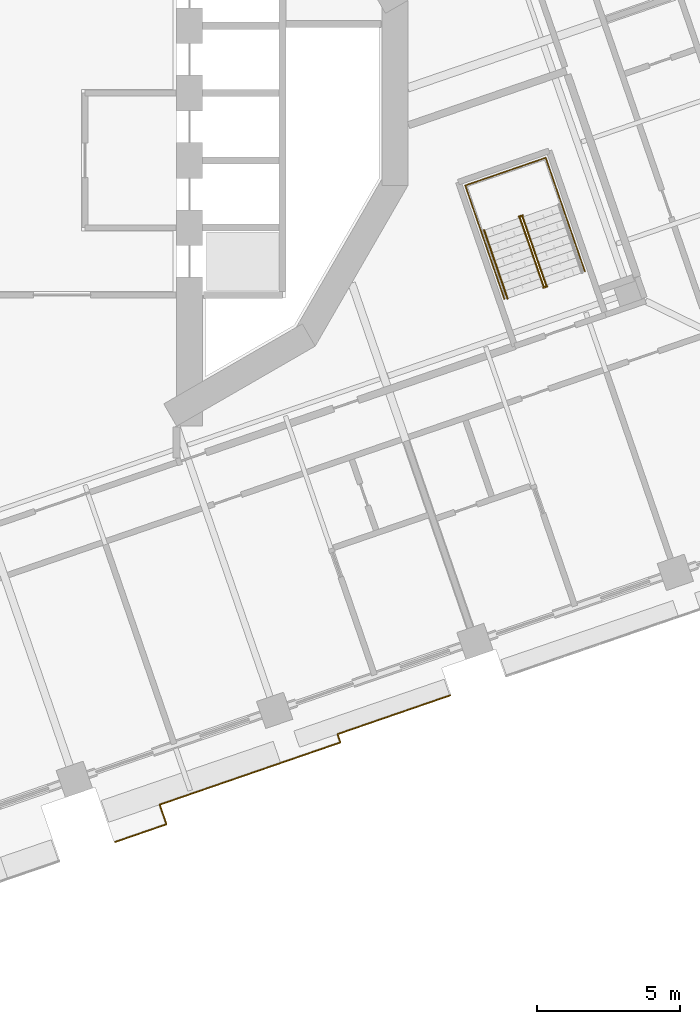
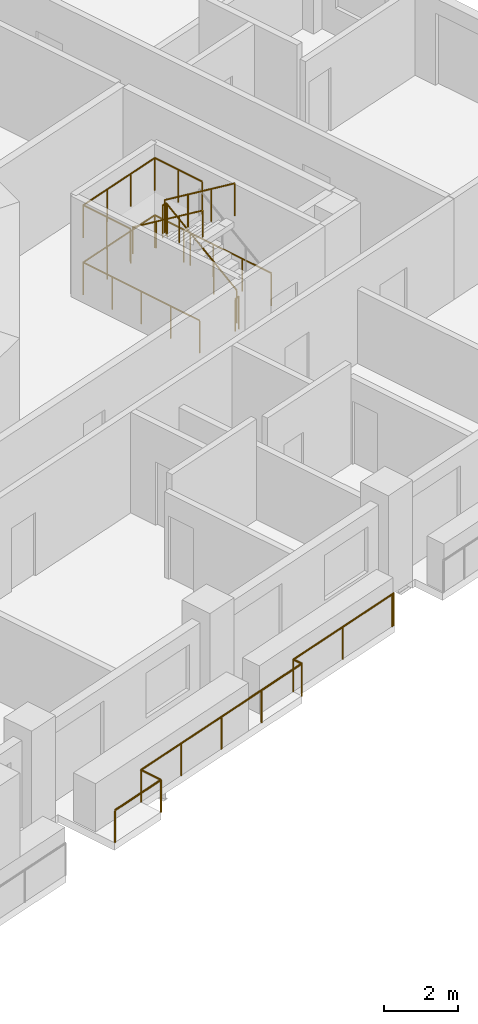
# One storey, part 17 of 22: 7 railings.
"""IFC4 building model written with IfcOpenShell, lengths in metres."""

from ifc_helpers import new_model, si_unit, direction, frame, origin, origin_2d, place, context, subcontext, project, spatial, circle, extrude, material, type_object, element, save


model = new_model("IFC4")

# Units and contexts
model_context = context("Model", 3, precision=1e-05, world=origin(), true_north=direction((0.0, 1.0)))
body_context = subcontext(model_context, "Body", "Model", "MODEL_VIEW")
ifc_project = project(units=[si_unit("LENGTHUNIT", "METRE"), si_unit("AREAUNIT", "SQUARE_METRE"), si_unit("VOLUMEUNIT", "CUBIC_METRE"), si_unit("PLANEANGLEUNIT", "RADIAN"), si_unit("MASSUNIT", "GRAM", prefix="KILO")], contexts=[model_context])

# Site, building, storey
site_placement = place(None, origin())
site = spatial("IfcSite", under=ifc_project, at=site_placement, CompositionType="ELEMENT")
building_placement = place(site_placement, origin())
building = spatial("IfcBuilding", under=site, at=building_placement, Name="Cantera Rosa Tower", CompositionType="ELEMENT")
storey_placement = place(building_placement, frame((0.0, 0.0, 138.300048828125)))
storey = spatial("IfcBuildingStorey", under=building, at=storey_placement, Name="L29", CompositionType="ELEMENT", Elevation=138.300048828125)

# Railings
ifc_material_1 = material(Name="Stainless steel and laminated glass", Category="steel")
railing_type_1 = type_object("IfcRailingType", Name="GUARD 1100", PredefinedType="BALUSTRADE", material=ifc_material_1)
railing_1_placement = place(storey_placement, frame((13.55615234375, -21.032470703125, 0.0)))
element("IfcRailing", 1, at=railing_1_placement, inside=storey, type_object=railing_type_1, Name="GUARD L29-3", PredefinedType="BALUSTRADE", context=body_context, shape_type="SweptSolid", body=[
    extrude(circle(Radius=0.030029296875, at=origin_2d()), frame((0.0, 0.0, 1.070068359375), z_axis=(-0.946220044844, -0.323523765333, 0.0), x_axis=(0.323523765333, -0.946220044844, 0.0)), (0.0, 0.0, 1.0), 0.070068359375),
    extrude(circle(Radius=0.030029296875, at=origin_2d()), frame((-0.06640625, -0.022705078125, 1.070068359375), z_axis=(-0.945499055222, -0.325624840228, 0.0), x_axis=(0.325624840228, -0.945499055222, 0.0)), (0.0, 0.0, 1.0), 4.093017578125),
    extrude(circle(Radius=0.030029296875, at=origin_2d()), frame((-3.936279296875, -1.35546875, 1.070068359375), z_axis=(0.325524604467, -0.945533569942, 0.0), x_axis=(0.945533569942, 0.325524604467, 0.0)), (0.0, 0.0, 1.0), 0.306640625),
    extrude(circle(Radius=0.030029296875, at=origin_2d()), frame((-3.83642578125, -1.6455078125, 1.070068359375), z_axis=(-0.94552097525, -0.325561185281, 0.0), x_axis=(0.325561185281, -0.94552097525, 0.0)), (0.0, 0.0, 1.0), 6.6748046875),
    extrude(circle(Radius=0.030029296875, at=origin_2d()), frame((-10.147705078125, -3.818603515625, 1.070068359375), z_axis=(0.325606704408, -0.945505300908, 0.0), x_axis=(0.945505300908, 0.325606704408, 0.0)), (0.0, 0.0, 1.0), 0.72509765625),
    extrude(circle(Radius=0.030029296875, at=origin_2d()), frame((-9.91162109375, -4.504150390625, 1.070068359375), z_axis=(-0.945491592985, -0.325646507114, 0.0), x_axis=(0.325646507114, -0.945491592985, 0.0)), (0.0, 0.0, 1.0), 1.902099609375),
    extrude(circle(Radius=0.02490234375, at=origin_2d()), origin(), (0.0, 0.0, 1.0), 1.0400390625),
    extrude(circle(Radius=0.02490234375, at=origin_2d()), frame((-0.06640625, -0.022705078125, 0.0)), (0.0, 0.0, 1.0), 1.0400390625),
    extrude(circle(Radius=0.02490234375, at=origin_2d()), frame((-2.00146484375, -0.68896484375, 0.0)), (0.0, 0.0, 1.0), 1.0400390625),
    extrude(circle(Radius=0.02490234375, at=origin_2d()), frame((-3.936279296875, -1.35546875, 0.0)), (0.0, 0.0, 1.0), 1.0400390625),
    extrude(circle(Radius=0.02490234375, at=origin_2d()), frame((-3.83642578125, -1.6455078125, 0.0)), (0.0, 0.0, 1.0), 1.0400390625),
    extrude(circle(Radius=0.02490234375, at=origin_2d()), frame((-5.414306640625, -2.188720703125, 0.0)), (0.0, 0.0, 1.0), 1.0400390625),
    extrude(circle(Radius=0.02490234375, at=origin_2d()), frame((-6.9921875, -2.73193359375, 0.0)), (0.0, 0.0, 1.0), 1.0400390625),
    extrude(circle(Radius=0.02490234375, at=origin_2d()), frame((-8.56982421875, -3.275390625, 0.0)), (0.0, 0.0, 1.0), 1.0400390625),
    extrude(circle(Radius=0.02490234375, at=origin_2d()), frame((-10.147705078125, -3.818603515625, 0.0)), (0.0, 0.0, 1.0), 1.0400390625),
    extrude(circle(Radius=0.02490234375, at=origin_2d()), frame((-9.91162109375, -4.504150390625, 0.0)), (0.0, 0.0, 1.0), 1.0400390625),
    extrude(circle(Radius=0.02490234375, at=origin_2d()), frame((-11.7099609375, -5.12353515625, 0.0)), (0.0, 0.0, 1.0), 1.0400390625),
])
ifc_material_2 = material(Name="Steel S355J2 (EN 10025-2)", Category="steel")
railing_type_2 = type_object("IfcRailingType", Name="STAIR GUARD 1100", PredefinedType="GUARDRAIL", material=ifc_material_2)
railing_2_placement = place(storey_placement, frame((16.902099609375, -6.707763671875, 0.18994140625)))
element("IfcRailing", 2, at=railing_2_placement, inside=storey, type_object=railing_type_2, Name="L29 ST-23 stair guard 1", PredefinedType="GUARDRAIL", context=body_context, shape_type="SweptSolid", body=[
    extrude(circle(Radius=0.02392578125, at=origin_2d()), frame((0.0, 0.0, 1.076171875), z_axis=(-0.269358070891, 0.782421063063, 0.561483312059), x_axis=(-0.945537585866, -0.325512939397, 0.0)), (0.0, 0.0, 1.0), 3.04541015625),
    extrude(circle(Radius=0.02392578125, at=origin_2d()), frame((-0.8203125, 2.3828125, 2.7861328125), z_axis=(0.147491890402, 0.989063265047, 0.0), x_axis=(-0.989063265047, 0.147491890402, 0.0)), (0.0, 0.0, 1.0), 0.056396484375),
    extrude(circle(Radius=0.02392578125, at=origin_2d()), frame((-0.81201171875, 2.4384765625, 2.7861328125), z_axis=(-0.945545797087, -0.325489086777, 0.0), x_axis=(0.325489086777, -0.945545797087, 0.0)), (0.0, 0.0, 1.0), 0.14990234375),
    extrude(circle(Radius=0.02099609375, at=origin_2d()), origin(), (0.0, 0.0, 1.0), 1.052001953125),
    extrude(circle(Radius=0.02099609375, at=origin_2d()), frame((-0.2734375, 0.794189453125, 0.570068359375)), (0.0, 0.0, 1.0), 1.052001953125),
    extrude(circle(Radius=0.02099609375, at=origin_2d()), frame((-0.546875, 1.588623046875, 1.139892578125)), (0.0, 0.0, 1.0), 1.052001953125),
    extrude(circle(Radius=0.02099609375, at=origin_2d()), frame((-0.8203125, 2.3828125, 1.7099609375)), (0.0, 0.0, 1.0), 1.052001953125),
    extrude(circle(Radius=0.02099609375, at=origin_2d()), frame((-0.81201171875, 2.4384765625, 1.7099609375)), (0.0, 0.0, 1.0), 1.052001953125),
    extrude(circle(Radius=0.02099609375, at=origin_2d()), frame((-0.953857421875, 2.3896484375, 1.7099609375)), (0.0, 0.0, 1.0), 1.052001953125),
])
railing_3_placement = place(storey_placement, frame((15.989013671875, -4.35693359375, 2.08984375)))
element("IfcRailing", 3, at=railing_3_placement, inside=storey, type_object=railing_type_2, Name="L29 ST-23 stair guard 2", PredefinedType="GUARDRAIL", context=body_context, shape_type="SweptSolid", body=[
    extrude(circle(Radius=0.02392578125, at=origin_2d()), frame((0.0, 0.0, 1.076171875), z_axis=(0.269420291028, -0.782368949847, 0.561526075172), x_axis=(0.94550776501, 0.325599548996, 0.0)), (0.0, 0.0, 1.0), 3.045654296875),
    extrude(circle(Radius=0.02099609375, at=origin_2d()), origin(), (0.0, 0.0, 1.0), 1.052001953125),
    extrude(circle(Radius=0.02099609375, at=origin_2d()), frame((0.2734375, -0.794189453125, 0.570068359375)), (0.0, 0.0, 1.0), 1.052001953125),
    extrude(circle(Radius=0.02099609375, at=origin_2d()), frame((0.547119140625, -1.588623046875, 1.14013671875)), (0.0, 0.0, 1.0), 1.052001953125),
    extrude(circle(Radius=0.02099609375, at=origin_2d()), frame((0.820556640625, -2.3828125, 1.710205078125)), (0.0, 0.0, 1.0), 1.052001953125),
])
railing_4_placement = place(storey_placement, frame((16.94287109375, -6.74658203125, 0.0)))
element("IfcRailing", 4, at=railing_4_placement, inside=storey, type_object=railing_type_2, Name="L29 ST-23 stair guard 3", PredefinedType="GUARDRAIL", context=body_context, shape_type="SweptSolid", body=[
    extrude(circle(Radius=0.02392578125, at=origin_2d()), frame((0.0, 0.0, 1.076171875), z_axis=(-0.945372981626, -0.325990683319, 0.0), x_axis=(0.325990683319, -0.945372981626, 0.0)), (0.0, 0.0, 1.0), 0.14990234375),
    extrude(circle(Radius=0.02099609375, at=origin_2d()), origin(), (0.0, 0.0, 1.0), 1.052001953125),
    extrude(circle(Radius=0.02099609375, at=origin_2d()), frame((-0.1416015625, -0.048828125, 0.0)), (0.0, 0.0, 1.0), 1.052001953125),
])
railing_5_placement = place(storey_placement, frame((18.256103515625, -6.22900390625, 0.0)))
element("IfcRailing", 5, at=railing_5_placement, inside=storey, type_object=railing_type_2, Name="L29 ST-23 stair guard 4", PredefinedType="GUARDRAIL", context=body_context, shape_type="SweptSolid", body=[
    extrude(circle(Radius=0.02392578125, at=origin_2d()), frame((0.0, 0.0, 1.076171875), z_axis=(-0.3255981694, 0.945508240093, 0.0), x_axis=(-0.945508240093, -0.3255981694, 0.0)), (0.0, 0.0, 1.0), 4.1982421875),
    extrude(circle(Radius=0.02392578125, at=origin_2d()), frame((-1.366943359375, 3.969482421875, 1.076171875), z_axis=(-0.945504814226, -0.325608117645, 0.0), x_axis=(0.325608117645, -0.945504814226, 0.0)), (0.0, 0.0, 1.0), 2.969970703125),
    extrude(circle(Radius=0.02392578125, at=origin_2d()), frame((-4.175048828125, 3.00244140625, 1.076171875), z_axis=(0.325564081496, -0.945519978022, 0.0), x_axis=(0.945519978022, 0.325564081496, 0.0)), (0.0, 0.0, 1.0), 4.197998046875),
    extrude(circle(Radius=0.02099609375, at=origin_2d()), origin(), (0.0, 0.0, 1.0), 1.052001953125),
    extrude(circle(Radius=0.02099609375, at=origin_2d()), frame((-0.341796875, 0.992431640625, 0.0)), (0.0, 0.0, 1.0), 1.052001953125),
    extrude(circle(Radius=0.02099609375, at=origin_2d()), frame((-0.68359375, 1.98486328125, 0.0)), (0.0, 0.0, 1.0), 1.052001953125),
    extrude(circle(Radius=0.02099609375, at=origin_2d()), frame((-1.025146484375, 2.97705078125, 0.0)), (0.0, 0.0, 1.0), 1.052001953125),
    extrude(circle(Radius=0.02099609375, at=origin_2d()), frame((-1.366943359375, 3.969482421875, 0.0)), (0.0, 0.0, 1.0), 1.052001953125),
    extrude(circle(Radius=0.02099609375, at=origin_2d()), frame((-2.302978515625, 3.647216796875, 0.0)), (0.0, 0.0, 1.0), 1.052001953125),
    extrude(circle(Radius=0.02099609375, at=origin_2d()), frame((-3.239013671875, 3.32470703125, 0.0)), (0.0, 0.0, 1.0), 1.052001953125),
    extrude(circle(Radius=0.02099609375, at=origin_2d()), frame((-4.175048828125, 3.00244140625, 0.0)), (0.0, 0.0, 1.0), 1.052001953125),
    extrude(circle(Radius=0.02099609375, at=origin_2d()), frame((-3.83349609375, 2.01025390625, 0.0)), (0.0, 0.0, 1.0), 1.052001953125),
    extrude(circle(Radius=0.02099609375, at=origin_2d()), frame((-3.49169921875, 1.017822265625, 0.0)), (0.0, 0.0, 1.0), 1.052001953125),
    extrude(circle(Radius=0.02099609375, at=origin_2d()), frame((-3.14990234375, 0.025390625, 0.0)), (0.0, 0.0, 1.0), 1.052001953125),
    extrude(circle(Radius=0.02099609375, at=origin_2d()), frame((-2.808349609375, -0.966796875, 0.0)), (0.0, 0.0, 1.0), 1.052001953125),
])
railing_6_placement = place(storey_placement, frame((17.443359375, -3.868896484375, 1.89990234375)))
element("IfcRailing", 6, at=railing_6_placement, inside=storey, type_object=railing_type_2, Name="L29 ST-23 stair guard 5", PredefinedType="GUARDRAIL", context=body_context, shape_type="SweptSolid", body=[
    extrude(circle(Radius=0.02392578125, at=origin_2d()), frame((0.0, 0.0, 1.076171875), z_axis=(-0.32559282233, 0.94551008141, 0.0), x_axis=(-0.94551008141, -0.32559282233, 0.0)), (0.0, 0.0, 1.0), 1.7021484375),
    extrude(circle(Radius=0.02392578125, at=origin_2d()), frame((-0.55419921875, 1.609375, 1.076171875), z_axis=(-0.945504814226, -0.325608117645, 0.0), x_axis=(0.325608117645, -0.945504814226, 0.0)), (0.0, 0.0, 1.0), 2.969970703125),
    extrude(circle(Radius=0.02392578125, at=origin_2d()), frame((-3.3623046875, 0.642333984375, 1.076171875), z_axis=(0.32559282233, -0.94551008141, 0.0), x_axis=(0.94551008141, 0.32559282233, 0.0)), (0.0, 0.0, 1.0), 1.7021484375),
    extrude(circle(Radius=0.02099609375, at=origin_2d()), origin(), (0.0, 0.0, 1.0), 1.052001953125),
    extrude(circle(Radius=0.02099609375, at=origin_2d()), frame((-0.277099609375, 0.8046875, 0.0)), (0.0, 0.0, 1.0), 1.052001953125),
    extrude(circle(Radius=0.02099609375, at=origin_2d()), frame((-0.55419921875, 1.609375, 0.0)), (0.0, 0.0, 1.0), 1.052001953125),
    extrude(circle(Radius=0.02099609375, at=origin_2d()), frame((-1.490234375, 1.287109375, 0.0)), (0.0, 0.0, 1.0), 1.052001953125),
    extrude(circle(Radius=0.02099609375, at=origin_2d()), frame((-2.42626953125, 0.964599609375, 0.0)), (0.0, 0.0, 1.0), 1.052001953125),
    extrude(circle(Radius=0.02099609375, at=origin_2d()), frame((-3.3623046875, 0.642333984375, 0.0)), (0.0, 0.0, 1.0), 1.052001953125),
    extrude(circle(Radius=0.02099609375, at=origin_2d()), frame((-3.085205078125, -0.162353515625, 0.0)), (0.0, 0.0, 1.0), 1.052001953125),
    extrude(circle(Radius=0.02099609375, at=origin_2d()), frame((-2.80810546875, -0.967041015625, 0.0)), (0.0, 0.0, 1.0), 1.052001953125),
])
ifc_material_3 = material(Name="Steel S355J2 (EN 10025-2)", Category="steel")
railing_type_3 = type_object("IfcRailingType", Name="STAIR HANDRAIL 900", PredefinedType="HANDRAIL", material=ifc_material_3)
railing_7_placement = place(storey_placement, frame((14.7353515625, -4.78857421875, 2.08984375)))
element("IfcRailing", 7, at=railing_7_placement, inside=storey, type_object=railing_type_3, Name="L29 ST-23 stair handrail 2", PredefinedType="HANDRAIL", context=body_context, shape_type="SweptSolid", body=[
    extrude(circle(Radius=0.02392578125, at=origin_2d()), frame((0.0, 0.0, 0.8759765625), z_axis=(0.269345946519, -0.782385844651, 0.561538201002), x_axis=(0.945537585866, 0.325512939397, 0.0)), (0.0, 0.0, 1.0), 3.045654296875),
    extrude(circle(Radius=0.02099609375, at=origin_2d()), origin(), (0.0, 0.0, 1.0), 0.851806640625),
    extrude(circle(Radius=0.02099609375, at=origin_2d()), frame((0.2734375, -0.794189453125, 0.570068359375)), (0.0, 0.0, 1.0), 0.851806640625),
    extrude(circle(Radius=0.02099609375, at=origin_2d()), frame((0.546875, -1.588623046875, 1.14013671875)), (0.0, 0.0, 1.0), 0.851806640625),
    extrude(circle(Radius=0.02099609375, at=origin_2d()), frame((0.8203125, -2.3828125, 1.710205078125)), (0.0, 0.0, 1.0), 0.851806640625),
])

save(model, "model.ifc")
